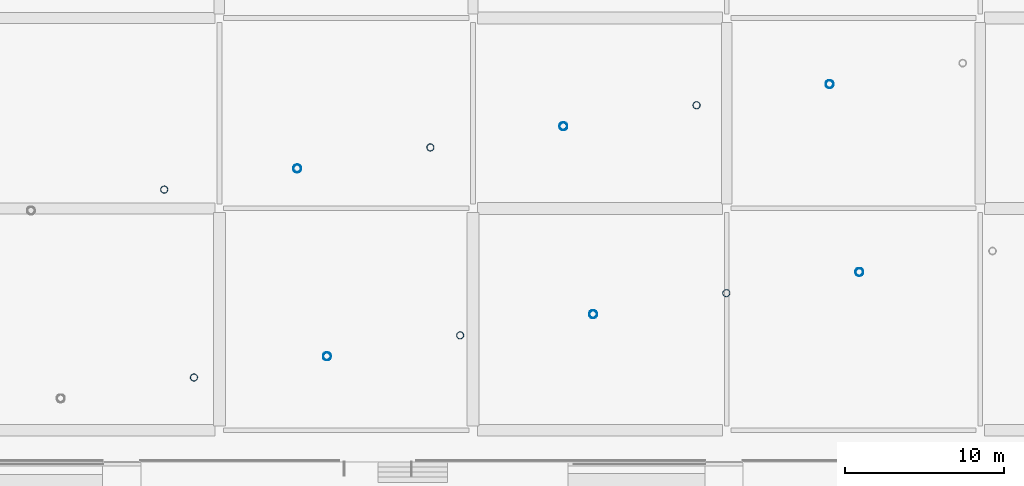
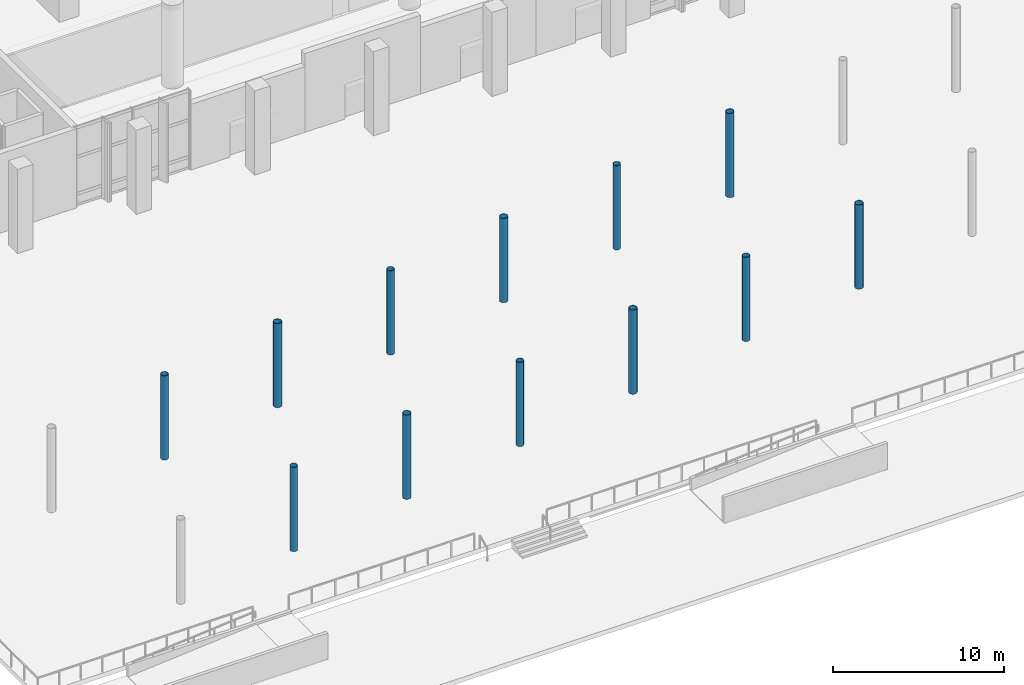
# One storey, part 4 of 163: 12 columns.
"""IFC4 building model written with IfcOpenShell, lengths in metres."""

from ifc_helpers import new_model, si_unit, direction, frame, origin, origin_2d, place, context, subcontext, project, spatial, hollow_circle, extrude, material, material_profile, profile_set, type_object, element, save


model = new_model("IFC4")

# Units and contexts
model_context = context("Model", 3, precision=1e-05, world=origin(), true_north=direction((0.0, 1.0)))
body_context = subcontext(model_context, "Body", "Model", "MODEL_VIEW")
ifc_project = project(units=[si_unit("LENGTHUNIT", "METRE"), si_unit("AREAUNIT", "SQUARE_METRE"), si_unit("VOLUMEUNIT", "CUBIC_METRE"), si_unit("PLANEANGLEUNIT", "RADIAN"), si_unit("MASSUNIT", "GRAM", prefix="KILO")], contexts=[model_context])

# Site, building, storey
site_placement = place(None, origin())
site = spatial("IfcSite", under=ifc_project, at=site_placement, CompositionType="ELEMENT")
building_placement = place(site_placement, origin())
building = spatial("IfcBuilding", under=site, at=building_placement, Name="Khorjan Park Terminus", CompositionType="ELEMENT")
storey_placement = place(building_placement, origin())
storey = spatial("IfcBuildingStorey", under=building, at=storey_placement, Name="L00", CompositionType="ELEMENT", Elevation=0.0)

# Columns
ifc_material = material(Name="Steel S355", Category="steel")
ifc_material_profile_1 = material_profile(ifc_material, hollow_circle(Radius=0.2285, WallThickness=0.016, at=origin_2d()), Name="CHS 457x16")
ifc_profile_set_1 = profile_set([ifc_material_profile_1], Name="Steel S355")
column_type_1 = type_object("IfcColumnType", Name="COL-SH457E", PredefinedType="COLUMN", material=ifc_profile_set_1)
for number, where, z_axis, x_axis, name in (
    (1, (62.395, -8.67, 0.0), (0.0, 0.0, 1.0), (0.987688340595, 0.15643446504, 0.0), "Structural column SC-46 (L00 #549)"),
    (2, (60.518, 3.182, 0.0), (0.0, 0.0, 1.0), (0.987688340595, 0.15643446504, 0.0), "Structural column SC-46 (L00 #552)"),
    (3, (79.186, -6.011, 0.0), (0.0, 0.0, 1.0), (0.987688340595, 0.15643446504, 0.0), "Structural column SC-46 (L00 #561)"),
    (4, (77.309, 5.841, 0.0), (0.0, 0.0, 1.0), (0.987688340595, 0.15643446504, 0.0), "Structural column SC-46 (L00 #564)"),
    (5, (95.977, -3.352, 0.0), (0.0, 0.0, 1.0), (0.987688340595, 0.15643446504, 0.0), "Structural column SC-46 (L00 #573)"),
    (6, (94.1, 8.501, 0.0), (0.0, 0.0, 1.0), (0.987688340595, 0.15643446504, 0.0), "Structural column SC-46 (L00 #576)"),
):
    element("IfcColumn", number, at=place(storey_placement, frame(where, z_axis=z_axis, x_axis=x_axis)), inside=storey, type_object=column_type_1, Name=name, PredefinedType="COLUMN", context=body_context, shape_type="SweptSolid", body=[
        extrude(hollow_circle(Radius=0.2285, WallThickness=0.016, at=origin_2d()), origin(), (0.0, 0.0, 1.0), 6.0),
    ])
ifc_material_profile_2 = material_profile(ifc_material, hollow_circle(Radius=0.254, WallThickness=0.02, at=origin_2d()), Name="CHS 508x20")
ifc_profile_set_2 = profile_set([ifc_material_profile_2], Name="Steel S355")
column_type_2 = type_object("IfcColumnType", Name="COL-SH508E", PredefinedType="COLUMN", material=ifc_profile_set_2)
for number, where, z_axis, x_axis, name in (
    (7, (70.791, -7.341, 0.0), (0.0, 0.0, 1.0), (0.987688340595, 0.15643446504, 0.0), "Structural column SC-51 (L00 #555)"),
    (8, (68.913, 4.512, 0.0), (0.0, 0.0, 1.0), (0.987688340595, 0.15643446504, 0.0), "Structural column SC-51 (L00 #558)"),
    (9, (87.581, -4.681, 0.0), (0.0, 0.0, 1.0), (0.987688340595, 0.15643446504, 0.0), "Structural column SC-51 (L00 #567)"),
    (10, (85.704, 7.171, 0.0), (0.0, 0.0, 1.0), (0.987688340595, 0.15643446504, 0.0), "Structural column SC-51 (L00 #570)"),
    (11, (104.372, -2.022, 0.0), (0.0, 0.0, 1.0), (0.987688340595, 0.15643446504, 0.0), "Structural column SC-51 (L00 #579)"),
    (12, (102.495, 9.83, 0.0), (0.0, 0.0, 1.0), (0.987688340595, 0.15643446504, 0.0), "Structural column SC-51 (L00 #582)"),
):
    element("IfcColumn", number, at=place(storey_placement, frame(where, z_axis=z_axis, x_axis=x_axis)), inside=storey, type_object=column_type_2, Name=name, PredefinedType="COLUMN", context=body_context, shape_type="SweptSolid", body=[
        extrude(hollow_circle(Radius=0.254, WallThickness=0.02, at=origin_2d()), origin(), (0.0, 0.0, 1.0), 6.0),
    ])

save(model, "model.ifc")
